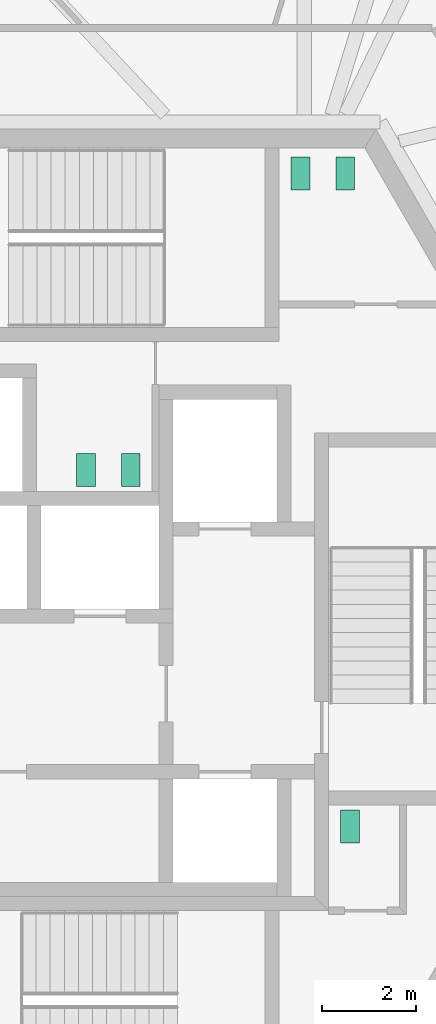
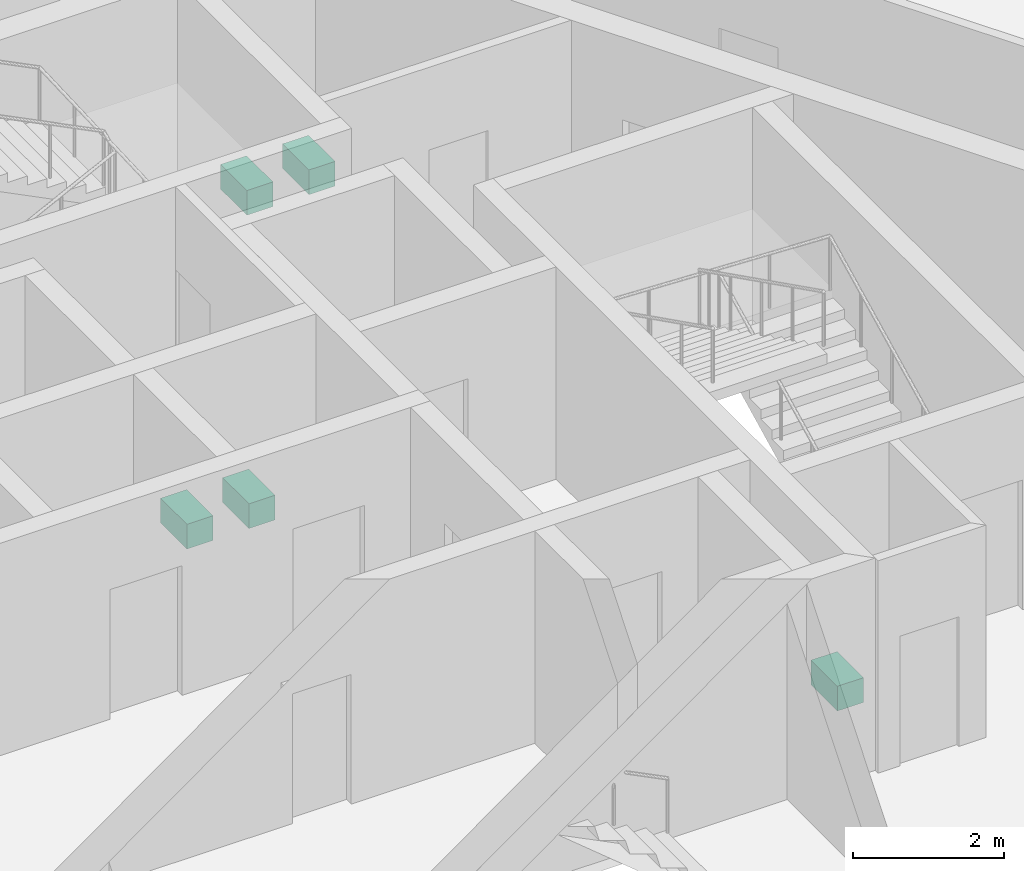
# One storey, part 21 of 23: 5 sanitary terminals.
"""IFC4 building model written with IfcOpenShell, lengths in metres."""

from ifc_helpers import new_model, si_unit, direction, frame, origin, origin_2d, place, context, subcontext, project, spatial, rectangle, extrude, source, transform, mapped, material, element, save


model = new_model("IFC4")

# Units and contexts
model_context = context("Model", 3, precision=1e-05, world=origin(), true_north=direction((0.0, 1.0)))
body_context = subcontext(model_context, "Body", "Model", "MODEL_VIEW")
ifc_project = project(units=[si_unit("LENGTHUNIT", "METRE"), si_unit("AREAUNIT", "SQUARE_METRE"), si_unit("VOLUMEUNIT", "CUBIC_METRE"), si_unit("PLANEANGLEUNIT", "RADIAN"), si_unit("MASSUNIT", "GRAM", prefix="KILO")], contexts=[model_context])

# Site, building, storey
site_placement = place(None, origin())
site = spatial("IfcSite", under=ifc_project, at=site_placement, CompositionType="ELEMENT")
building_placement = place(site_placement, origin())
building = spatial("IfcBuilding", under=site, at=building_placement, Name="Triune Harvest Tower", CompositionType="ELEMENT")
storey_placement = place(building_placement, frame((0.0, 0.0, 105.5)))
storey = spatial("IfcBuildingStorey", under=building, at=storey_placement, Name="L26", CompositionType="ELEMENT", Elevation=105.5)

# Sanitary terminals
ifc_material = material(Name="Vitreous china")
shared_shape = source(origin(), body_context, "Body", "SweptSolid", [
    extrude(rectangle(XDim=0.39990234375, YDim=0.699951171875, at=origin_2d()), origin(), (0.0, 0.0, 1.0), 0.39990234375),
])
for number, where, z_axis, x_axis, name in (
    (1, (4.39990234375, 9.449951171875, 0.0), (0.0, 0.0, 1.0), (1.0, 0.0, 0.0), "Toilet pan L26.c01"),
    (2, (5.35009765625, 9.449951171875, 0.0), (0.0, 0.0, 1.0), (1.0, 0.0, 0.0), "Toilet pan L26.c02"),
    (3, (0.800048828125, 3.159912109375, 0.0), (0.0, 0.0, 1.0), (-1.0, 0.0, 0.0), "Toilet pan L26.c03"),
    (4, (-0.14990234375, 3.159912109375, 0.0), (0.0, 0.0, 1.0), (-1.0, 0.0, 0.0), "Toilet pan L26.c04"),
    (5, (5.449951171875, -4.39990234375, 0.0), (0.0, 0.0, 1.0), (1.0, 0.0, 0.0), "Toilet pan L26.c05"),
):
    element("IfcSanitaryTerminal", number, at=place(storey_placement, frame(where, z_axis=z_axis, x_axis=x_axis)), inside=storey, material=ifc_material, Name=name, PredefinedType="TOILETPAN", context=body_context, shape_type="MappedRepresentation", body=[
        mapped(shared_shape, transform((0.0, 0.0, 0.0), scale=1.0)),
    ])

save(model, "model.ifc")
